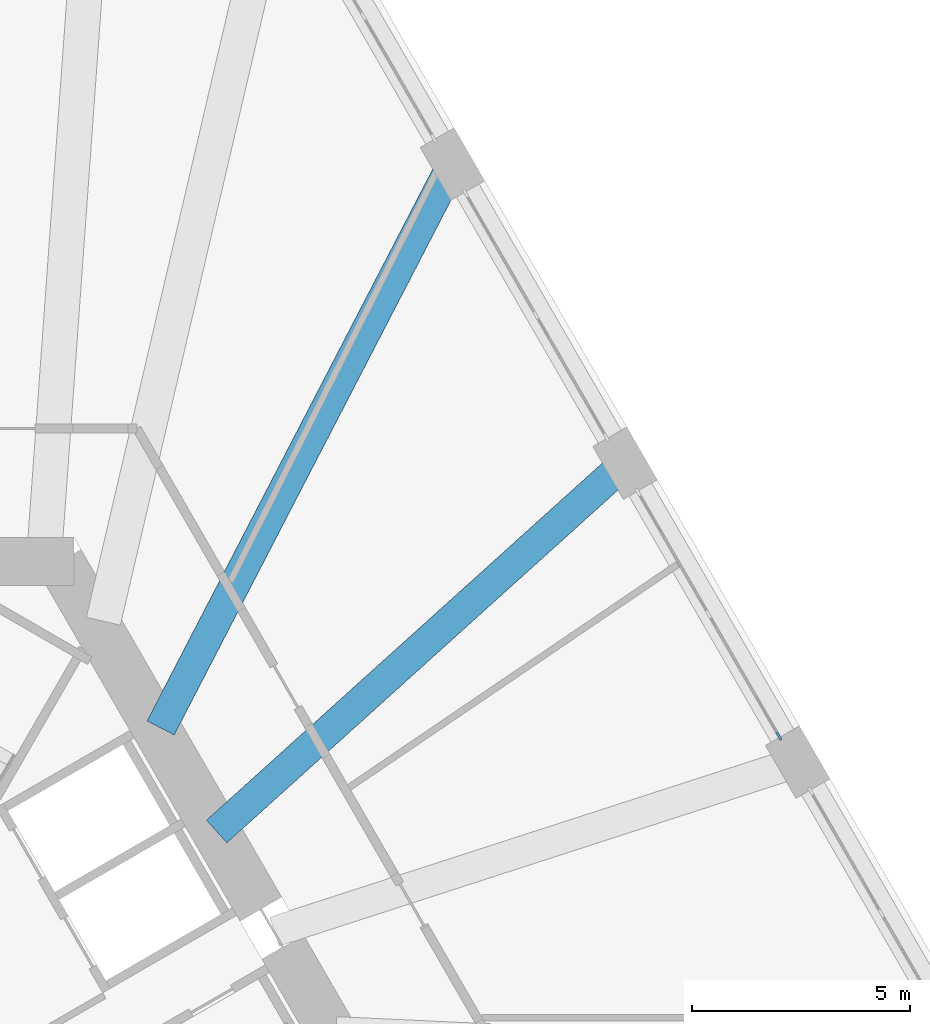
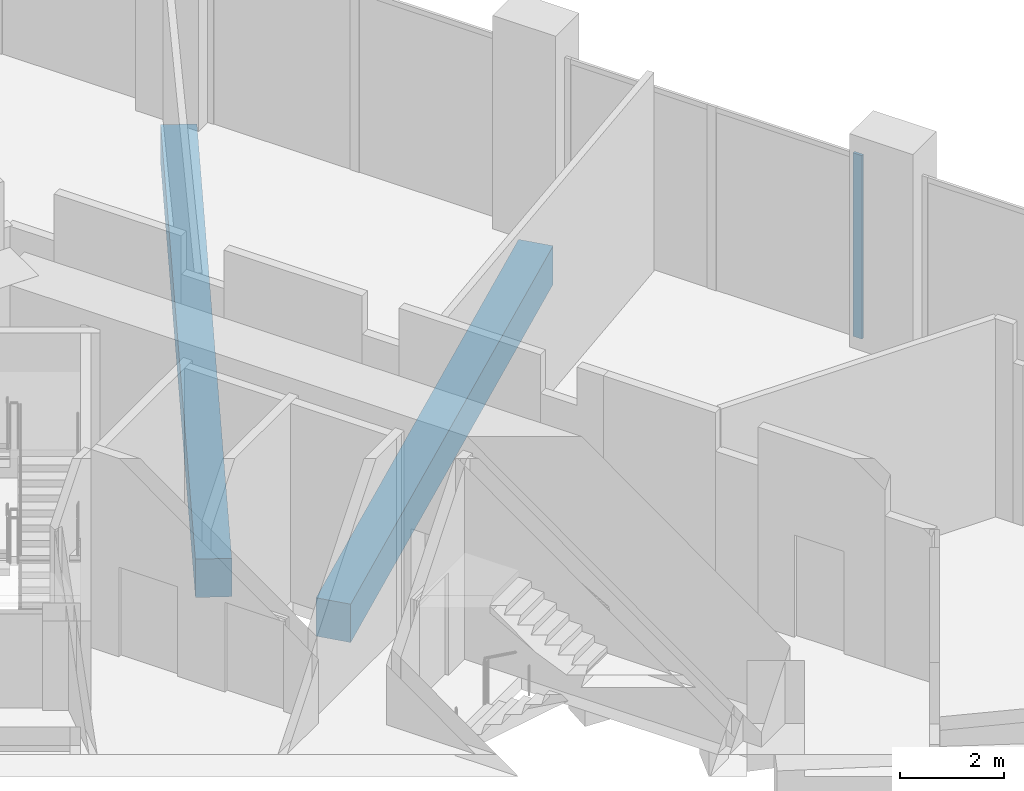
# One storey, part 8 of 20: 2 beams, 1 member, 1 element without a shape of its own.
"""IFC4 building model written with IfcOpenShell, lengths in metres."""

from ifc_helpers import new_model, si_unit, direction, frame, origin, origin_2d, place, context, subcontext, project, spatial, rectangle, extrude, material, layer, layer_set, material_profile, profile_set, type_object, element, aggregate, save


model = new_model("IFC4")

# Units and contexts
model_context = context("Model", 3, precision=1e-05, world=origin(), true_north=direction((0.0, 1.0)))
body_context = subcontext(model_context, "Body", "Model", "MODEL_VIEW")
ifc_project = project(units=[si_unit("LENGTHUNIT", "METRE"), si_unit("AREAUNIT", "SQUARE_METRE"), si_unit("VOLUMEUNIT", "CUBIC_METRE"), si_unit("PLANEANGLEUNIT", "RADIAN"), si_unit("MASSUNIT", "GRAM", prefix="KILO")], contexts=[model_context])

# Site, building, storey
site_placement = place(None, origin())
site = spatial("IfcSite", under=ifc_project, at=site_placement, CompositionType="ELEMENT")
building_placement = place(site_placement, origin())
building = spatial("IfcBuilding", under=site, at=building_placement, Name="Tramontana Tower", CompositionType="ELEMENT")
storey_placement = place(building_placement, frame((0.0, 0.0, 15.0)))
storey = spatial("IfcBuildingStorey", under=building, at=storey_placement, Name="L02", CompositionType="ELEMENT", Elevation=15.0)

# Curtain wall, member
ifc_material_1 = material(Name="Aluminum extrusion", Category="aluminium")
ifc_layer = layer(ifc_material_1, 0.14990234375)
ifc_layer_set = layer_set([ifc_layer], Name="CW2 Podium amenity curtain wall")
curtain_wall_type = type_object("IfcCurtainWallType", Name="CW2 Podium amenity curtain wall", PredefinedType="NOTDEFINED", material=ifc_layer_set)
curtain_wall_placement = place(storey_placement, origin())
curtain_wall = element("IfcCurtainWall", 1, at=curtain_wall_placement, inside=storey, type_object=curtain_wall_type, Name="CW2 curtain wall L02 face 2 bay 4", PredefinedType="NOTDEFINED")
ifc_material_2 = material(Name="Aluminum extrusion", Category="aluminium")
ifc_material_profile_1 = material_profile(ifc_material_2, rectangle(XDim=0.06005859375, YDim=0.199951171875, at=origin_2d()), Name="CW2-M Mullion 60 x 200")
ifc_profile_set_1 = profile_set([ifc_material_profile_1], Name="Aluminum extrusion")
member_type = type_object("IfcMemberType", Name="CW2-M Mullion 60 x 200", PredefinedType="MULLION", material=ifc_profile_set_1)
member_placement = place(storey_placement, frame((17.6142578125, 6.441162109375, 0.0), z_axis=(0.0, 0.0, 1.0), x_axis=(-0.866025403784, -0.5, 0.0)))
member = element("IfcMember", 2, at=member_placement, type_object=member_type, Name="CW2 curtain wall L02 face 2 bay 4 mullion 1", PredefinedType="MULLION", context=body_context, shape_type="SweptSolid", body=[
    extrude(rectangle(XDim=0.06005859375, YDim=0.199951171875, at=origin_2d()), origin(), (0.0, 0.0, 1.0), 4.300048828125),
])
aggregate(curtain_wall, [member])

# Beams
ifc_material_3 = material(Name="Concrete 40 MPa", Category="concrete")
ifc_material_profile_2 = material_profile(ifc_material_3, rectangle(XDim=0.699951171875, YDim=0.89990234375, at=origin_2d()), Name="RC GIRDER 700X900 40 MPa")
ifc_profile_set_2 = profile_set([ifc_material_profile_2], Name="Concrete 40 MPa")
beam_type = type_object("IfcBeamType", Name="RC GIRDER 700X900 40 MPa", PredefinedType="BEAM", material=ifc_profile_set_2)
beam_1_placement = place(storey_placement, frame((14.085205078125, 12.70361328125, -0.800048828125), z_axis=(-0.742588406407, -0.669748056116, 0.0), x_axis=(0.669748056116, -0.742588406407, 0.0)))
element("IfcBeam", 3, at=beam_1_placement, inside=storey, type_object=beam_type, Name="Radial girder C0F16 L02", PredefinedType="BEAM", context=body_context, shape_type="SweptSolid", body=[
    extrude(rectangle(XDim=0.699951171875, YDim=0.89990234375, at=origin_2d()), origin(), (0.0, 0.0, 1.0), 12.615966796875),
])
beam_2_placement = place(storey_placement, frame((10.126220703125, 19.560791015625, -0.800048828125), z_axis=(-0.459730770714, -0.88805834181, 0.0), x_axis=(0.88805834181, -0.459730770714, 0.0)))
element("IfcBeam", 4, at=beam_2_placement, inside=storey, type_object=beam_type, Name="Radial girder C0F17 L02", PredefinedType="BEAM", context=body_context, shape_type="SweptSolid", body=[
    extrude(rectangle(XDim=0.699951171875, YDim=0.89990234375, at=origin_2d()), origin(), (0.0, 0.0, 1.0), 14.5615234375),
])

save(model, "model.ifc")
